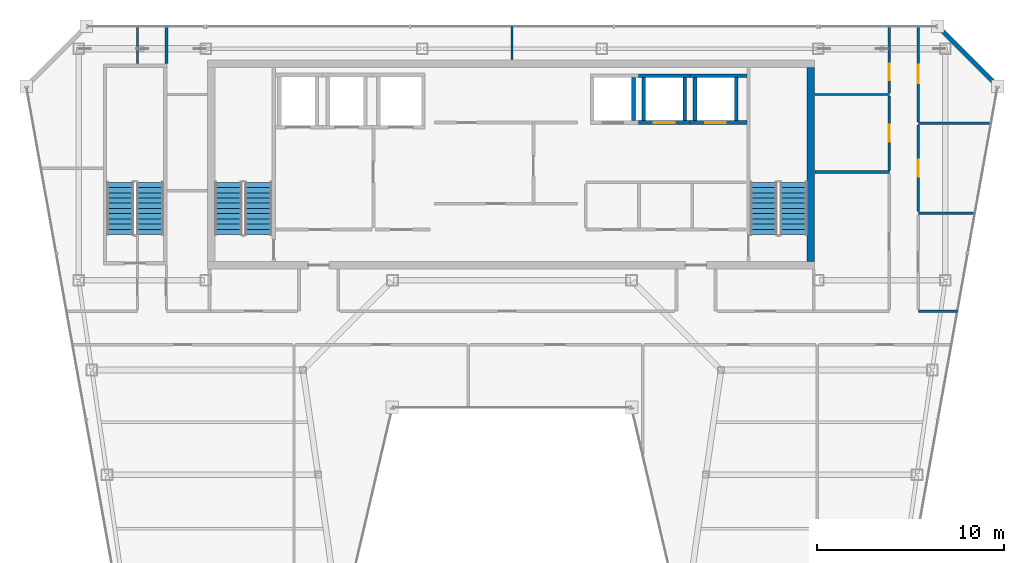
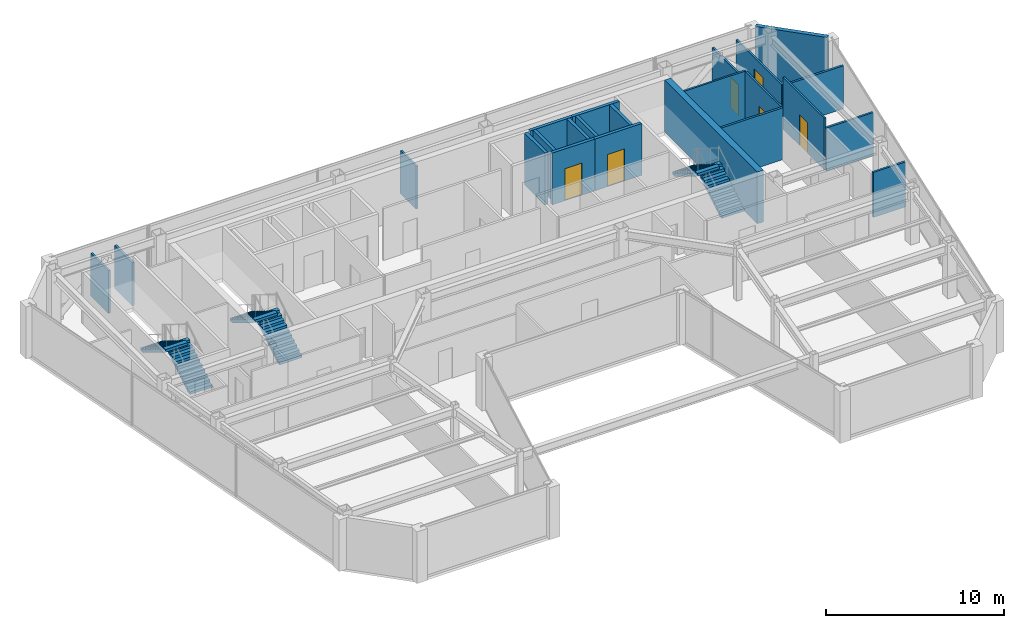
# One storey, part 29 of 32: 23 walls, 6 doors, 6 stair flights, 6 openings, 3 elements without a shape of their own.
"""IFC4 building model written with IfcOpenShell, lengths in metres."""

from ifc_helpers import new_model, si_unit, direction, frame, frame_2d, origin, place, context, subcontext, project, spatial, polyline, rectangle, outline, extrude, material, layer, layer_set, type_object, element, fill, aggregate, save


model = new_model("IFC4")

# Units and contexts
model_context = context("Model", 3, precision=1e-05, world=origin(), true_north=direction((0.0, 1.0)))
body_context = subcontext(model_context, "Body", "Model", "MODEL_VIEW")
ifc_project = project(units=[si_unit("LENGTHUNIT", "METRE"), si_unit("AREAUNIT", "SQUARE_METRE"), si_unit("VOLUMEUNIT", "CUBIC_METRE"), si_unit("PLANEANGLEUNIT", "RADIAN"), si_unit("MASSUNIT", "GRAM", prefix="KILO")], contexts=[model_context])

# Site, building, storey
site_placement = place(None, origin())
site = spatial("IfcSite", under=ifc_project, at=site_placement, CompositionType="ELEMENT")
building_placement = place(site_placement, origin())
building = spatial("IfcBuilding", under=site, at=building_placement, Name="Saevonmaru Cultural Tower", CompositionType="ELEMENT")
storey_placement = place(building_placement, frame((0.0, 0.0, 264.800048828125)))
storey = spatial("IfcBuildingStorey", under=building, at=storey_placement, Name="L62", CompositionType="ELEMENT", Elevation=264.800048828125)

# Walls
ifc_material_1 = material(Name="Concrete C50/60", Category="concrete")
ifc_layer_1 = layer(ifc_material_1, 0.39990234375, Name="Concrete C50/60")
ifc_layer_set_1 = layer_set([ifc_layer_1], Name="Concrete C50/60")
wall_type_1 = type_object("IfcWallType", Name="WL-CORE-400", PredefinedType="SHEAR", material=ifc_layer_set_1)
wall_1_placement = place(storey_placement, frame((46.0, 43.39990234375, 0.0), z_axis=(0.0, 0.0, 1.0), x_axis=(0.0, 1.0, 0.0)))
element("IfcWall", 1, at=wall_1_placement, inside=storey, type_object=wall_type_1, Name="L62 Tower RC core shear wall E", PredefinedType="SHEAR", context=body_context, shape_type="SweptSolid", body=[
    extrude(rectangle(XDim=10.400146484375, YDim=0.39990234375, at=frame_2d((5.2001953125, 0.0))), origin(), (0.0, 0.0, 1.0), 3.550048828125),
])
ifc_material_2 = material(Name="Granite-Clad Precast Concrete C40/50", Category="masonry")
ifc_layer_2 = layer(ifc_material_2, 0.260009765625, Name="Granite-Clad Precast Concrete C40/50")
ifc_layer_set_2 = layer_set([ifc_layer_2], Name="Granite-Clad Precast Concrete C40/50")
wall_type_2 = type_object("IfcWallType", Name="WL-EXT-SPANDREL-260", PredefinedType="STANDARD", material=ifc_layer_set_2)
wall_2_placement = place(storey_placement, frame((55.886962890625, 52.9130859375, 0.0), z_axis=(0.0, 0.0, 1.0), x_axis=(-0.707106781187, 0.707106781187, 0.0)))
element("IfcWall", 2, at=wall_2_placement, inside=storey, type_object=wall_type_2, Name="L62 Chamfer Corner Spandrel Wall E9", PredefinedType="STANDARD", context=body_context, shape_type="SweptSolid", body=[
    extrude(rectangle(XDim=4.205810546875, YDim=0.260009765625, at=frame_2d((2.10302734375, 0.0))), origin(), (0.0, 0.0, 1.0), 3.550048828125),
])
ifc_material_3 = material(Name="Gypsum Fireboard Partition", Category="gypsum")
ifc_layer_3 = layer(ifc_material_3, 0.14990234375, Name="Gypsum Fireboard Partition")
ifc_layer_set_3 = layer_set([ifc_layer_3], Name="Gypsum Fireboard Partition")
wall_type_3 = type_object("IfcWallType", Name="WL-PART-FIRE-150", PredefinedType="PARTITIONING", material=ifc_layer_set_3)
wall_3_placement = place(storey_placement, frame((11.5, 54.0, 0.0), z_axis=(0.0, 0.0, 1.0), x_axis=(0.0, 1.0, 0.0)))
element("IfcWall", 3, at=wall_3_placement, inside=storey, type_object=wall_type_3, Name="L62 Sculpture Study Gallery Corridor Wall", PredefinedType="PARTITIONING", context=body_context, shape_type="SweptSolid", body=[
    extrude(rectangle(XDim=1.9951171875, YDim=0.14990234375, at=frame_2d((0.99755859375, 0.0))), origin(), (0.0, 0.0, 1.0), 2.93505859375),
])
ifc_layer_4 = layer(ifc_material_3, 0.1201171875, Name="Gypsum Fireboard Partition")
ifc_layer_set_4 = layer_set([ifc_layer_4], Name="Gypsum Fireboard Partition")
wall_type_4 = type_object("IfcWallType", Name="WL-PART-GYP-120", PredefinedType="PARTITIONING", material=ifc_layer_set_4)
wall_4_placement = place(storey_placement, frame((46.219970703125, 52.35009765625, 0.0), z_axis=(0.0, 0.0, 1.0), x_axis=(1.0, 0.0, 0.0)))
element("IfcWall", 4, at=wall_4_placement, inside=storey, type_object=wall_type_4, Name="L62 North-East Panorama South Wall", PredefinedType="PARTITIONING", context=body_context, shape_type="SweptSolid", body=[
    extrude(rectangle(XDim=3.97998046875, YDim=0.1201171875, at=frame_2d((1.989990234375, 0.0))), origin(), (0.0, 0.0, 1.0), 3.550048828125),
])
wall_5_placement = place(storey_placement, frame((30.0, 54.219970703125, 0.0), z_axis=(0.0, 0.0, 1.0), x_axis=(0.0, 1.0, 0.0)))
element("IfcWall", 5, at=wall_5_placement, inside=storey, type_object=wall_type_4, Name="L62 North Panorama Center Split", PredefinedType="PARTITIONING", context=body_context, shape_type="SweptSolid", body=[
    extrude(rectangle(XDim=1.775146484375, YDim=0.1201171875, at=frame_2d((0.8876953125, 0.0))), origin(), (0.0, 0.0, 1.0), 2.93505859375),
])

# Wall, opening, door
wall_6_placement = place(storey_placement, frame((50.199951171875, 48.2900390625, 0.0), z_axis=(0.0, 0.0, 1.0), x_axis=(0.0, 1.0, 0.0)))
wall_6 = element("IfcWall", 6, at=wall_6_placement, inside=storey, type_object=wall_type_4, Name="L62 Visiting Fellows Office Corridor Wall", PredefinedType="PARTITIONING", context=body_context, shape_type="SweptSolid", body=[
    extrude(rectangle(XDim=3.97998046875, YDim=0.1201171875, at=frame_2d((1.989990234375, 0.0))), origin(), (0.0, 0.0, 1.0), 3.550048828125),
])
opening_1_placement = place(wall_6_placement, frame((1.5400390625, 0.0, 0.0)))
opening_1 = element("IfcOpeningElement", 7, at=opening_1_placement, cuts=wall_6, Name="Opening ID-2", PredefinedType="OPENING", context=body_context, shape_type="SweptSolid", body=[
    extrude(rectangle(XDim=0.89990234375, YDim=2.10009765625, at=frame_2d((0.449951171875, 1.050048828125))), frame((0.0, 0.070068359375, 0.0), z_axis=(0.0, -1.0, 0.0), x_axis=(1.0, 0.0, 0.0)), (0.0, 0.0, 1.0), 0.14013671875),
])
ifc_material_4 = material(Name="Acoustic Stained Oak Timber", Category="wood")
door_type_1 = type_object("IfcDoorType", Name="DR-INT-900", OperationType="SINGLE_SWING_RIGHT", PredefinedType="DOOR", material=ifc_material_4)
door_1_placement = place(opening_1_placement, origin())
door_1 = element("IfcDoor", 8, at=door_1_placement, inside=storey, type_object=door_type_1, Name="L62 Visiting Fellows Office Door", OperationType="SINGLE_SWING_LEFT", OverallHeight=2.10009765625, OverallWidth=0.89990234375, PredefinedType="DOOR", context=body_context, shape_type="SweptSolid", body=[
    extrude(rectangle(XDim=0.89990234375, YDim=2.10009765625, at=frame_2d((0.449951171875, 1.050048828125))), frame((0.0, 0.02490234375, 0.0), z_axis=(0.0, -1.0, 0.0), x_axis=(1.0, 0.0, 0.0)), (0.0, 0.0, 1.0), 0.050048828125),
])
fill(opening_1, door_1)

wall_7_placement = place(storey_placement, frame((50.199951171875, 52.429931640625, 0.0), z_axis=(0.0, 0.0, 1.0), x_axis=(0.0, 1.0, 0.0)))
wall_7 = element("IfcWall", 9, at=wall_7_placement, inside=storey, type_object=wall_type_4, Name="L62 Digital Humanities Office Corridor Wall", PredefinedType="PARTITIONING", context=body_context, shape_type="SweptSolid", body=[
    extrude(rectangle(XDim=3.565185546875, YDim=0.1201171875, at=frame_2d((1.78271484375, 0.0))), origin(), (0.0, 0.0, 1.0), 2.93505859375),
])
opening_2_placement = place(wall_7_placement, frame((0.672119140625, 0.0, 0.0)))
opening_2 = element("IfcOpeningElement", 10, at=opening_2_placement, cuts=wall_7, Name="Opening ID-2", PredefinedType="OPENING", context=body_context, shape_type="SweptSolid", body=[
    extrude(rectangle(XDim=0.89990234375, YDim=2.10009765625, at=frame_2d((0.449951171875, 1.050048828125))), frame((0.0, 0.070068359375, 0.0), z_axis=(0.0, -1.0, 0.0), x_axis=(1.0, 0.0, 0.0)), (0.0, 0.0, 1.0), 0.14013671875),
])
door_2_placement = place(opening_2_placement, origin())
door_2 = element("IfcDoor", 11, at=door_2_placement, inside=storey, type_object=door_type_1, Name="L62 Digital Humanities Office Door", OperationType="SINGLE_SWING_RIGHT", OverallHeight=2.10009765625, OverallWidth=0.89990234375, PredefinedType="DOOR", context=body_context, shape_type="SweptSolid", body=[
    extrude(rectangle(XDim=0.89990234375, YDim=2.10009765625, at=frame_2d((0.449951171875, 1.050048828125))), frame((0.0, 0.02490234375, 0.0), z_axis=(0.0, -1.0, 0.0), x_axis=(1.0, 0.0, 0.0)), (0.0, 0.0, 1.0), 0.050048828125),
])
fill(opening_2, door_2)

# Wall
wall_8_placement = place(storey_placement, frame((9.949951171875, 54.0, 0.0), z_axis=(0.0, 0.0, 1.0), x_axis=(0.0, 1.0, 0.0)))
element("IfcWall", 12, at=wall_8_placement, inside=storey, type_object=wall_type_4, Name="L62 Digital Humanities Office Corridor Wall", PredefinedType="PARTITIONING", context=body_context, shape_type="SweptSolid", body=[
    extrude(rectangle(XDim=1.9951171875, YDim=0.1201171875, at=frame_2d((0.99755859375, 0.0))), origin(), (0.0, 0.0, 1.0), 2.93505859375),
])

# Wall, opening, door
wall_9_placement = place(storey_placement, frame((51.75, 46.08740234375, 0.0), z_axis=(0.0, 0.0, 1.0), x_axis=(0.0, 1.0, 0.0)))
wall_9 = element("IfcWall", 13, at=wall_9_placement, inside=storey, type_object=wall_type_4, Name="L62 Digital Media Classroom Corridor Wall", PredefinedType="PARTITIONING", context=body_context, shape_type="SweptSolid", body=[
    extrude(rectangle(XDim=4.625, YDim=0.1201171875, at=frame_2d((2.3125, 0.0))), origin(), (0.0, 0.0, 1.0), 3.550048828125),
])
opening_3_placement = place(wall_9_placement, frame((1.863037109375, 0.0, 0.0)))
opening_3 = element("IfcOpeningElement", 14, at=opening_3_placement, cuts=wall_9, Name="Opening ID-2", PredefinedType="OPENING", context=body_context, shape_type="SweptSolid", body=[
    extrude(rectangle(XDim=0.89990234375, YDim=2.10009765625, at=frame_2d((0.449951171875, 1.050048828125))), frame((0.0, 0.070068359375, 0.0), z_axis=(0.0, -1.0, 0.0), x_axis=(1.0, 0.0, 0.0)), (0.0, 0.0, 1.0), 0.14013671875),
])
door_3_placement = place(opening_3_placement, origin())
door_3 = element("IfcDoor", 15, at=door_3_placement, inside=storey, type_object=door_type_1, Name="L62 Digital Media Classroom Door", OperationType="SINGLE_SWING_RIGHT", OverallHeight=2.10009765625, OverallWidth=0.89990234375, PredefinedType="DOOR", context=body_context, shape_type="SweptSolid", body=[
    extrude(rectangle(XDim=0.89990234375, YDim=2.10009765625, at=frame_2d((0.449951171875, 1.050048828125))), frame((0.0, 0.02490234375, 0.0), z_axis=(0.0, -1.0, 0.0), x_axis=(1.0, 0.0, 0.0)), (0.0, 0.0, 1.0), 0.050048828125),
])
fill(opening_3, door_3)

wall_10_placement = place(storey_placement, frame((51.75, 50.887451171875, 0.0), z_axis=(0.0, 0.0, 1.0), x_axis=(0.0, 1.0, 0.0)))
wall_10 = element("IfcWall", 16, at=wall_10_placement, inside=storey, type_object=wall_type_4, Name="L62 Horizon Espresso Cafe Corridor Wall", PredefinedType="PARTITIONING", context=body_context, shape_type="SweptSolid", body=[
    extrude(rectangle(XDim=5.107666015625, YDim=0.1201171875, at=frame_2d((2.5537109375, 0.0))), origin(), (0.0, 0.0, 1.0), 2.93505859375),
])
opening_4_placement = place(wall_10_placement, frame((2.053955078125, 0.0, 0.0)))
opening_4 = element("IfcOpeningElement", 17, at=opening_4_placement, cuts=wall_10, Name="Opening ID-1B", PredefinedType="OPENING", context=body_context, shape_type="SweptSolid", body=[
    extrude(rectangle(XDim=1.0, YDim=2.14990234375, at=frame_2d((0.5, 1.074951171875))), frame((0.0, 0.070068359375, 0.0), z_axis=(0.0, -1.0, 0.0), x_axis=(1.0, 0.0, 0.0)), (0.0, 0.0, 1.0), 0.14013671875),
])
door_type_2 = type_object("IfcDoorType", Name="DR-INT-1000", OperationType="SINGLE_SWING_RIGHT", PredefinedType="DOOR", material=ifc_material_4)
door_4_placement = place(opening_4_placement, origin())
door_4 = element("IfcDoor", 18, at=door_4_placement, inside=storey, type_object=door_type_2, Name="L62 Horizon Espresso Cafe Door", OperationType="SINGLE_SWING_LEFT", OverallHeight=2.14990234375, OverallWidth=1.0, PredefinedType="DOOR", context=body_context, shape_type="SweptSolid", body=[
    extrude(rectangle(XDim=1.0, YDim=2.14990234375, at=frame_2d((0.5, 1.074951171875))), frame((0.0, 0.02490234375, 0.0), z_axis=(0.0, -1.0, 0.0), x_axis=(1.0, 0.0, 0.0)), (0.0, 0.0, 1.0), 0.050048828125),
])
fill(opening_4, door_4)

# Walls
ifc_layer_5 = layer(ifc_material_3, 0.135009765625, Name="Gypsum Fireboard Partition")
ifc_layer_set_5 = layer_set([ifc_layer_5], Name="Gypsum Fireboard Partition")
wall_type_5 = type_object("IfcWallType", Name="WL-PART-GYP-135", PredefinedType="PARTITIONING", material=ifc_layer_set_5)
wall_11_placement = place(storey_placement, frame((51.75, 40.75, 0.0), z_axis=(0.0, 0.0, 1.0), x_axis=(1.0, 0.0, 0.0)))
element("IfcWall", 19, at=wall_11_placement, inside=storey, type_object=wall_type_5, Name="L62 NE Wing South Wall", PredefinedType="PARTITIONING", context=body_context, shape_type="SweptSolid", body=[
    extrude(rectangle(XDim=2.088623046875, YDim=0.135009765625, at=frame_2d((1.04443359375, 0.0))), origin(), (0.0, 0.0, 1.0), 3.0849609375),
])
wall_12_placement = place(storey_placement, frame((51.75, 46.0, 0.0), z_axis=(0.0, 0.0, 1.0), x_axis=(1.0, 0.0, 0.0)))
element("IfcWall", 20, at=wall_12_placement, inside=storey, type_object=wall_type_5, Name="L62 NE Studio Divider 1", PredefinedType="PARTITIONING", context=body_context, shape_type="SweptSolid", body=[
    extrude(rectangle(XDim=3.028076171875, YDim=0.135009765625, at=frame_2d((1.51416015625, 0.0))), origin(), (0.0, 0.0, 1.0), 2.947021484375),
])
wall_13_placement = place(storey_placement, frame((51.75, 50.800048828125, 0.0), z_axis=(0.0, 0.0, 1.0), x_axis=(1.0, 0.0, 0.0)))
element("IfcWall", 21, at=wall_13_placement, inside=storey, type_object=wall_type_5, Name="L62 NE Studio Divider 2", PredefinedType="PARTITIONING", context=body_context, shape_type="SweptSolid", body=[
    extrude(rectangle(XDim=3.886962890625, YDim=0.135009765625, at=frame_2d((1.943359375, 0.0))), origin(), (0.0, 0.0, 1.0), 2.947021484375),
])
ifc_layer_6 = layer(ifc_material_3, 0.139892578125, Name="Gypsum Fireboard Partition")
ifc_layer_set_6 = layer_set([ifc_layer_6], Name="Gypsum Fireboard Partition")
wall_type_6 = type_object("IfcWallType", Name="WL-PART-WET-140", PredefinedType="PARTITIONING", material=ifc_layer_set_6)
wall_14_placement = place(storey_placement, frame((46.219970703125, 48.199951171875, 0.0), z_axis=(0.0, 0.0, 1.0), x_axis=(1.0, 0.0, 0.0)))
element("IfcWall", 22, at=wall_14_placement, inside=storey, type_object=wall_type_6, Name="L62 Washroom North Wall", PredefinedType="PARTITIONING", context=body_context, shape_type="SweptSolid", body=[
    extrude(rectangle(XDim=3.97998046875, YDim=0.139892578125, at=frame_2d((1.989990234375, 0.0))), origin(), (0.0, 0.0, 1.0), 3.550048828125),
])
ifc_material_5 = material(Name="Concrete C40/50", Category="concrete")
ifc_layer_7 = layer(ifc_material_5, 0.199951171875, Name="Concrete C40/50")
ifc_layer_set_7 = layer_set([ifc_layer_7], Name="Concrete C40/50")
wall_type_7 = type_object("IfcWallType", Name="WL-SHAFT-200", PredefinedType="SHEAR", material=ifc_layer_set_7)
wall_15_placement = place(storey_placement, frame((36.5, 50.949951171875, 0.0), z_axis=(0.0, 0.0, 1.0), x_axis=(0.0, 1.0, 0.0)))
element("IfcWall", 23, at=wall_15_placement, inside=storey, type_object=wall_type_7, Name="L62 Lift PL-H1 Hoistway Wall E", PredefinedType="SHEAR", context=body_context, shape_type="SweptSolid", body=[
    extrude(rectangle(XDim=2.300048828125, YDim=0.199951171875, at=frame_2d((1.14990234375, 0.0))), origin(), (0.0, 0.0, 1.0), 3.550048828125),
])

# Wall, opening, door
wall_16_placement = place(storey_placement, frame((36.77490234375, 50.85009765625, 0.0), z_axis=(0.0, 0.0, 1.0), x_axis=(1.0, 0.0, 0.0)))
wall_16 = element("IfcWall", 24, at=wall_16_placement, inside=storey, type_object=wall_type_7, Name="L62 Lift PL-H2 Hoistway Wall S", PredefinedType="SHEAR", context=body_context, shape_type="SweptSolid", body=[
    extrude(rectangle(XDim=2.75, YDim=0.199951171875, at=frame_2d((1.375, 0.0))), origin(), (0.0, 0.0, 1.0), 3.550048828125),
])
opening_5_placement = place(wall_16_placement, frame((0.824951171875, 0.0, 0.0)))
opening_5 = element("IfcOpeningElement", 25, at=opening_5_placement, cuts=wall_16, Name="Opening LD-1", PredefinedType="OPENING", context=body_context, shape_type="SweptSolid", body=[
    extrude(rectangle(XDim=1.10009765625, YDim=2.199951171875, at=frame_2d((0.550048828125, 1.10009765625))), frame((0.0, 0.10986328125, 0.0), z_axis=(0.0, -1.0, 0.0), x_axis=(1.0, 0.0, 0.0)), (0.0, 0.0, 1.0), 0.219970703125),
])
ifc_material_6 = material(Name="Satin Bronze Stainless Steel", Category="steel")
door_type_3 = type_object("IfcDoorType", Name="DR-LIFT-1100", OperationType="SLIDING_TO_LEFT", PredefinedType="DOOR", material=ifc_material_6)
door_5_placement = place(opening_5_placement, origin())
door_5 = element("IfcDoor", 26, at=door_5_placement, inside=storey, type_object=door_type_3, Name="L62 Lift PL-H2 Sliding Landing Door", OperationType="SLIDING_TO_LEFT", OverallHeight=2.199951171875, OverallWidth=1.10009765625, PredefinedType="DOOR", context=body_context, shape_type="SweptSolid", body=[
    extrude(rectangle(XDim=1.10009765625, YDim=2.199951171875, at=frame_2d((0.550048828125, 1.10009765625))), frame((0.0, 0.02490234375, 0.0), z_axis=(0.0, -1.0, 0.0), x_axis=(1.0, 0.0, 0.0)), (0.0, 0.0, 1.0), 0.050048828125),
])
fill(opening_5, door_5)

# Walls
wall_17_placement = place(storey_placement, frame((36.77490234375, 53.35009765625, 0.0), z_axis=(0.0, 0.0, 1.0), x_axis=(1.0, 0.0, 0.0)))
element("IfcWall", 27, at=wall_17_placement, inside=storey, type_object=wall_type_7, Name="L62 Lift PL-H2 Hoistway Wall N", PredefinedType="SHEAR", context=body_context, shape_type="SweptSolid", body=[
    extrude(rectangle(XDim=2.75, YDim=0.199951171875, at=frame_2d((1.375, 0.0))), origin(), (0.0, 0.0, 1.0), 3.550048828125),
])
for number, where, z_axis, x_axis, name in (
    (28, (37.050048828125, 50.949951171875, 0.0), (0.0, 0.0, 1.0), (0.0, 1.0, 0.0), "L62 Lift PL-H2 Hoistway Wall W"),
    (29, (39.25, 50.949951171875, 0.0), (0.0, 0.0, 1.0), (0.0, 1.0, 0.0), "L62 Lift PL-H2 Hoistway Wall E"),
):
    element("IfcWall", number, at=place(storey_placement, frame(where, z_axis=z_axis, x_axis=x_axis)), inside=storey, type_object=wall_type_7, Name=name, PredefinedType="SHEAR", context=body_context, shape_type="SweptSolid", body=[
        extrude(rectangle(XDim=2.300048828125, YDim=0.199951171875, at=frame_2d((1.14990234375, 0.0))), origin(), (0.0, 0.0, 1.0), 3.550048828125),
    ])

# Wall, opening, door
wall_18_placement = place(storey_placement, frame((39.52490234375, 50.85009765625, 0.0), z_axis=(0.0, 0.0, 1.0), x_axis=(1.0, 0.0, 0.0)))
wall_18 = element("IfcWall", 30, at=wall_18_placement, inside=storey, type_object=wall_type_7, Name="L62 Lift PL-H3 Hoistway Wall S", PredefinedType="SHEAR", context=body_context, shape_type="SweptSolid", body=[
    extrude(rectangle(XDim=3.045166015625, YDim=0.199951171875, at=frame_2d((1.5224609375, 0.0))), origin(), (0.0, 0.0, 1.0), 3.550048828125),
])
opening_6_placement = place(wall_18_placement, frame((0.824951171875, 0.0, 0.0)))
opening_6 = element("IfcOpeningElement", 31, at=opening_6_placement, cuts=wall_18, Name="Opening LD-1", PredefinedType="OPENING", context=body_context, shape_type="SweptSolid", body=[
    extrude(rectangle(XDim=1.10009765625, YDim=2.199951171875, at=frame_2d((0.550048828125, 1.10009765625))), frame((0.0, 0.10986328125, 0.0), z_axis=(0.0, -1.0, 0.0), x_axis=(1.0, 0.0, 0.0)), (0.0, 0.0, 1.0), 0.219970703125),
])
door_6_placement = place(opening_6_placement, origin())
door_6 = element("IfcDoor", 32, at=door_6_placement, inside=storey, type_object=door_type_3, Name="L62 Lift PL-H3 Sliding Landing Door", OperationType="SLIDING_TO_LEFT", OverallHeight=2.199951171875, OverallWidth=1.10009765625, PredefinedType="DOOR", context=body_context, shape_type="SweptSolid", body=[
    extrude(rectangle(XDim=1.10009765625, YDim=2.199951171875, at=frame_2d((0.550048828125, 1.10009765625))), frame((0.0, 0.02490234375, 0.0), z_axis=(0.0, -1.0, 0.0), x_axis=(1.0, 0.0, 0.0)), (0.0, 0.0, 1.0), 0.050048828125),
])
fill(opening_6, door_6)

# Walls
wall_19_placement = place(storey_placement, frame((39.52490234375, 53.35009765625, 0.0), z_axis=(0.0, 0.0, 1.0), x_axis=(1.0, 0.0, 0.0)))
element("IfcWall", 33, at=wall_19_placement, inside=storey, type_object=wall_type_7, Name="L62 Lift PL-H3 Hoistway Wall N", PredefinedType="SHEAR", context=body_context, shape_type="SweptSolid", body=[
    extrude(rectangle(XDim=3.045166015625, YDim=0.199951171875, at=frame_2d((1.5224609375, 0.0))), origin(), (0.0, 0.0, 1.0), 3.550048828125),
])
for number, where, z_axis, x_axis, name in (
    (34, (39.800048828125, 50.949951171875, 0.0), (0.0, 0.0, 1.0), (0.0, 1.0, 0.0), "L62 Lift PL-H3 Hoistway Wall W"),
    (35, (42.0, 50.949951171875, 0.0), (0.0, 0.0, 1.0), (0.0, 1.0, 0.0), "L62 Lift PL-H3 Hoistway Wall E"),
):
    element("IfcWall", number, at=place(storey_placement, frame(where, z_axis=z_axis, x_axis=x_axis)), inside=storey, type_object=wall_type_7, Name=name, PredefinedType="SHEAR", context=body_context, shape_type="SweptSolid", body=[
        extrude(rectangle(XDim=2.300048828125, YDim=0.199951171875, at=frame_2d((1.14990234375, 0.0))), origin(), (0.0, 0.0, 1.0), 3.550048828125),
    ])

# Stair, stair flights
stair_type = type_object("IfcStairType", Name="STR-DOGLEG-RC", PredefinedType="HALF_TURN_STAIR", material=ifc_material_5)
stair_1_placement = place(storey_placement, origin())
stair_1 = element("IfcStair", 36, at=stair_1_placement, inside=storey, type_object=stair_type, Name="L62 Protected exit stair ST-1", PredefinedType="HALF_TURN_STAIR")
ifc_material_7 = material(Name="Precast concrete C40/50", Category="concrete")
stair_flight_type = type_object("IfcStairFlightType", Name="STF-PRECAST-180", PredefinedType="STRAIGHT", material=ifc_material_7)
stair_flight_1_placement = place(storey_placement, frame((16.425048828125, 44.85009765625, 0.0), z_axis=(0.0, 0.0, 1.0), x_axis=(0.0, 1.0, 0.0)))
stair_flight_1 = element("IfcStairFlight", 37, at=stair_flight_1_placement, type_object=stair_flight_type, Name="ST-1-L62 flight 1", NumberOfRisers=11, NumberOfTreads=10, PredefinedType="STRAIGHT", RiserHeight=0.172727273, TreadLength=0.28, context=body_context, shape_type="SweptSolid", body=[
    extrude(outline(polyline([(0.0, 0.0), (0.0, 0.172607421875), (0.280029296875, 0.172607421875), (0.280029296875, 0.345458984375), (0.56005859375, 0.345458984375), (0.56005859375, 0.51806640625), (0.840087890625, 0.51806640625), (0.840087890625, 0.69091796875), (1.1201171875, 0.69091796875), (1.1201171875, 0.863525390625), (1.39990234375, 0.863525390625), (1.39990234375, 1.036376953125), (1.679931640625, 1.036376953125), (1.679931640625, 1.208984375), (1.9599609375, 1.208984375), (1.9599609375, 1.3818359375), (2.239990234375, 1.3818359375), (2.239990234375, 1.554443359375), (2.52001953125, 1.554443359375), (2.52001953125, 1.727294921875), (2.800048828125, 1.727294921875), (2.800048828125, 1.89990234375), (2.800048828125, 1.551025390625), (0.285400390625, 0.0), (0.0, 0.0)])), frame((0.0, 0.72509765625, 0.0), z_axis=(0.0, -1.0, 0.0), x_axis=(1.0, 0.0, 0.0)), (0.0, 0.0, 1.0), 1.449951171875),
])
stair_flight_2_placement = place(storey_placement, frame((14.824951171875, 47.64990234375, 1.89990234375), z_axis=(0.0, 0.0, 1.0), x_axis=(0.0, -1.0, 0.0)))
stair_flight_2 = element("IfcStairFlight", 38, at=stair_flight_2_placement, type_object=stair_flight_type, Name="ST-1-L62 flight 2", NumberOfRisers=11, NumberOfTreads=10, PredefinedType="STRAIGHT", RiserHeight=0.172727273, TreadLength=0.28, context=body_context, shape_type="SweptSolid", body=[
    extrude(outline(polyline([(0.0, 0.0), (0.0, 0.172607421875), (0.280029296875, 0.172607421875), (0.280029296875, 0.345458984375), (0.56005859375, 0.345458984375), (0.56005859375, 0.51806640625), (0.840087890625, 0.51806640625), (0.840087890625, 0.69091796875), (1.1201171875, 0.69091796875), (1.1201171875, 0.863525390625), (1.39990234375, 0.863525390625), (1.39990234375, 1.036376953125), (1.679931640625, 1.036376953125), (1.679931640625, 1.208984375), (1.9599609375, 1.208984375), (1.9599609375, 1.3818359375), (2.239990234375, 1.3818359375), (2.239990234375, 1.554443359375), (2.52001953125, 1.554443359375), (2.52001953125, 1.727294921875), (2.800048828125, 1.727294921875), (2.800048828125, 1.89990234375), (2.800048828125, 1.551025390625), (0.285400390625, 0.0), (0.0, 0.0)])), frame((0.0, 0.72509765625, 0.0), z_axis=(0.0, -1.0, 0.0), x_axis=(1.0, 0.0, 0.0)), (0.0, 0.0, 1.0), 1.449951171875),
])
aggregate(stair_1, [stair_flight_1, stair_flight_2])

stair_2_placement = place(storey_placement, origin())
stair_2 = element("IfcStair", 39, at=stair_2_placement, inside=storey, type_object=stair_type, Name="L62 Protected exit stair ST-2", PredefinedType="HALF_TURN_STAIR")
stair_flight_3_placement = place(storey_placement, frame((45.074951171875, 44.85009765625, 0.0), z_axis=(0.0, 0.0, 1.0), x_axis=(0.0, 1.0, 0.0)))
stair_flight_3 = element("IfcStairFlight", 40, at=stair_flight_3_placement, type_object=stair_flight_type, Name="ST-2-L62 flight 1", NumberOfRisers=11, NumberOfTreads=10, PredefinedType="STRAIGHT", RiserHeight=0.172727273, TreadLength=0.28, context=body_context, shape_type="SweptSolid", body=[
    extrude(outline(polyline([(0.0, 0.0), (0.0, 0.172607421875), (0.280029296875, 0.172607421875), (0.280029296875, 0.345458984375), (0.56005859375, 0.345458984375), (0.56005859375, 0.51806640625), (0.840087890625, 0.51806640625), (0.840087890625, 0.69091796875), (1.1201171875, 0.69091796875), (1.1201171875, 0.863525390625), (1.39990234375, 0.863525390625), (1.39990234375, 1.036376953125), (1.679931640625, 1.036376953125), (1.679931640625, 1.208984375), (1.9599609375, 1.208984375), (1.9599609375, 1.3818359375), (2.239990234375, 1.3818359375), (2.239990234375, 1.554443359375), (2.52001953125, 1.554443359375), (2.52001953125, 1.727294921875), (2.800048828125, 1.727294921875), (2.800048828125, 1.89990234375), (2.800048828125, 1.551025390625), (0.285400390625, 0.0), (0.0, 0.0)])), frame((0.0, 0.72509765625, 0.0), z_axis=(0.0, -1.0, 0.0), x_axis=(1.0, 0.0, 0.0)), (0.0, 0.0, 1.0), 1.449951171875),
])
stair_flight_4_placement = place(storey_placement, frame((43.47509765625, 47.64990234375, 1.89990234375), z_axis=(0.0, 0.0, 1.0), x_axis=(0.0, -1.0, 0.0)))
stair_flight_4 = element("IfcStairFlight", 41, at=stair_flight_4_placement, type_object=stair_flight_type, Name="ST-2-L62 flight 2", NumberOfRisers=11, NumberOfTreads=10, PredefinedType="STRAIGHT", RiserHeight=0.172727273, TreadLength=0.28, context=body_context, shape_type="SweptSolid", body=[
    extrude(outline(polyline([(0.0, 0.0), (0.0, 0.172607421875), (0.280029296875, 0.172607421875), (0.280029296875, 0.345458984375), (0.56005859375, 0.345458984375), (0.56005859375, 0.51806640625), (0.840087890625, 0.51806640625), (0.840087890625, 0.69091796875), (1.1201171875, 0.69091796875), (1.1201171875, 0.863525390625), (1.39990234375, 0.863525390625), (1.39990234375, 1.036376953125), (1.679931640625, 1.036376953125), (1.679931640625, 1.208984375), (1.9599609375, 1.208984375), (1.9599609375, 1.3818359375), (2.239990234375, 1.3818359375), (2.239990234375, 1.554443359375), (2.52001953125, 1.554443359375), (2.52001953125, 1.727294921875), (2.800048828125, 1.727294921875), (2.800048828125, 1.89990234375), (2.800048828125, 1.551025390625), (0.285400390625, 0.0), (0.0, 0.0)])), frame((0.0, 0.72509765625, 0.0), z_axis=(0.0, -1.0, 0.0), x_axis=(1.0, 0.0, 0.0)), (0.0, 0.0, 1.0), 1.449951171875),
])
aggregate(stair_2, [stair_flight_3, stair_flight_4])

stair_3_placement = place(storey_placement, origin())
stair_3 = element("IfcStair", 42, at=stair_3_placement, inside=storey, type_object=stair_type, Name="L62 Protected exit stair ST-3", PredefinedType="HALF_TURN_STAIR")
stair_flight_5_placement = place(storey_placement, frame((10.625, 44.85009765625, 0.0), z_axis=(0.0, 0.0, 1.0), x_axis=(0.0, 1.0, 0.0)))
stair_flight_5 = element("IfcStairFlight", 43, at=stair_flight_5_placement, type_object=stair_flight_type, Name="ST-3-L62 flight 1", NumberOfRisers=11, NumberOfTreads=10, PredefinedType="STRAIGHT", RiserHeight=0.172727273, TreadLength=0.28, context=body_context, shape_type="SweptSolid", body=[
    extrude(outline(polyline([(0.0, 0.0), (0.0, 0.172607421875), (0.280029296875, 0.172607421875), (0.280029296875, 0.345458984375), (0.56005859375, 0.345458984375), (0.56005859375, 0.51806640625), (0.840087890625, 0.51806640625), (0.840087890625, 0.69091796875), (1.1201171875, 0.69091796875), (1.1201171875, 0.863525390625), (1.39990234375, 0.863525390625), (1.39990234375, 1.036376953125), (1.679931640625, 1.036376953125), (1.679931640625, 1.208984375), (1.9599609375, 1.208984375), (1.9599609375, 1.3818359375), (2.239990234375, 1.3818359375), (2.239990234375, 1.554443359375), (2.52001953125, 1.554443359375), (2.52001953125, 1.727294921875), (2.800048828125, 1.727294921875), (2.800048828125, 1.89990234375), (2.800048828125, 1.551025390625), (0.285400390625, 0.0), (0.0, 0.0)])), frame((0.0, 0.72509765625, 0.0), z_axis=(0.0, -1.0, 0.0), x_axis=(1.0, 0.0, 0.0)), (0.0, 0.0, 1.0), 1.449951171875),
])
stair_flight_6_placement = place(storey_placement, frame((9.02490234375, 47.64990234375, 1.89990234375), z_axis=(0.0, 0.0, 1.0), x_axis=(0.0, -1.0, 0.0)))
stair_flight_6 = element("IfcStairFlight", 44, at=stair_flight_6_placement, type_object=stair_flight_type, Name="ST-3-L62 flight 2", NumberOfRisers=11, NumberOfTreads=10, PredefinedType="STRAIGHT", RiserHeight=0.172727273, TreadLength=0.28, context=body_context, shape_type="SweptSolid", body=[
    extrude(outline(polyline([(0.0, 0.0), (0.0, 0.172607421875), (0.280029296875, 0.172607421875), (0.280029296875, 0.345458984375), (0.56005859375, 0.345458984375), (0.56005859375, 0.51806640625), (0.840087890625, 0.51806640625), (0.840087890625, 0.69091796875), (1.1201171875, 0.69091796875), (1.1201171875, 0.863525390625), (1.39990234375, 0.863525390625), (1.39990234375, 1.036376953125), (1.679931640625, 1.036376953125), (1.679931640625, 1.208984375), (1.9599609375, 1.208984375), (1.9599609375, 1.3818359375), (2.239990234375, 1.3818359375), (2.239990234375, 1.554443359375), (2.52001953125, 1.554443359375), (2.52001953125, 1.727294921875), (2.800048828125, 1.727294921875), (2.800048828125, 1.89990234375), (2.800048828125, 1.551025390625), (0.285400390625, 0.0), (0.0, 0.0)])), frame((0.0, 0.72509765625, 0.0), z_axis=(0.0, -1.0, 0.0), x_axis=(1.0, 0.0, 0.0)), (0.0, 0.0, 1.0), 1.449951171875),
])
aggregate(stair_3, [stair_flight_5, stair_flight_6])

save(model, "model.ifc")
